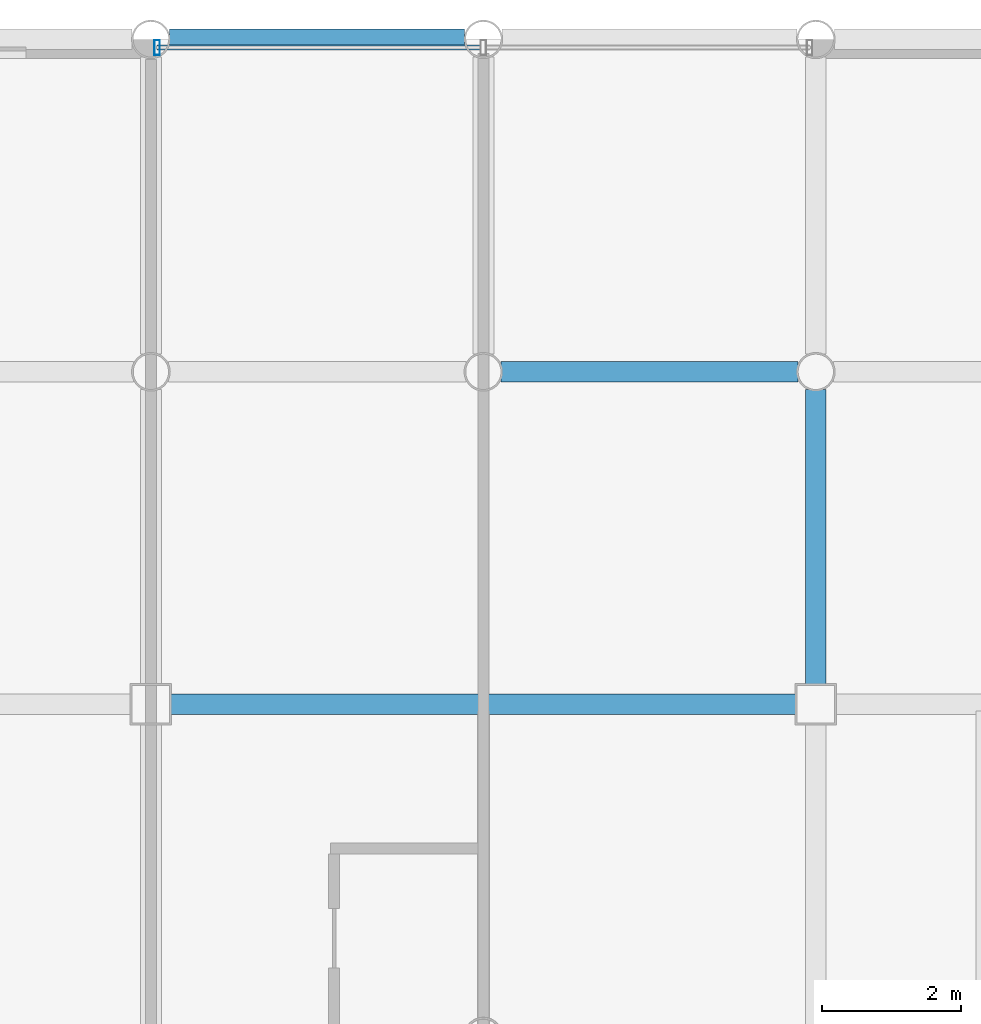
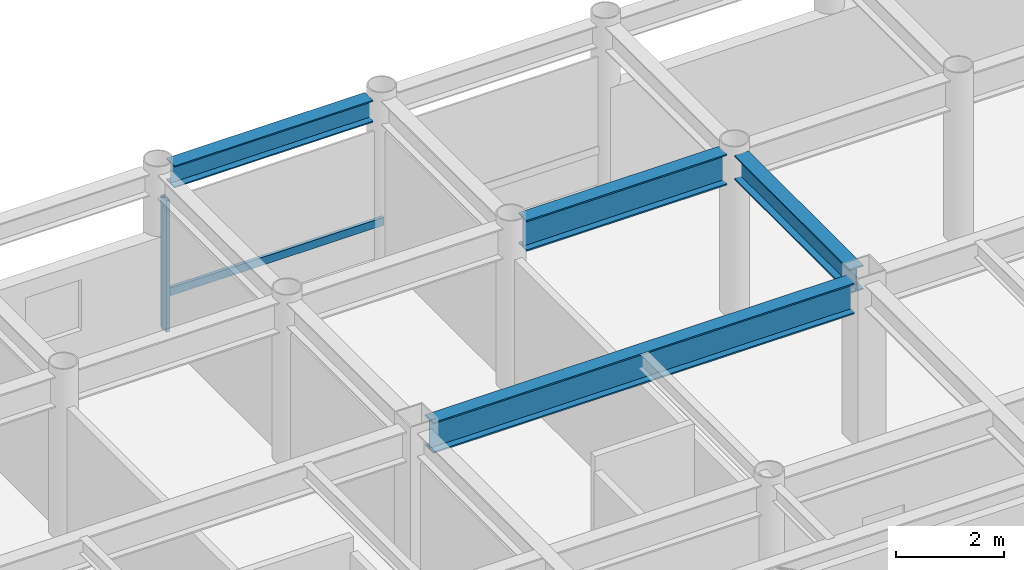
# One storey, part 14 of 22: 4 beams, 2 members, 1 element without a shape of its own.
"""IFC4 building model written with IfcOpenShell, lengths in metres."""

from ifc_helpers import new_model, si_unit, direction, frame, origin, origin_2d, place, context, subcontext, project, spatial, hollow_rectangle, i_section, extrude, material, layer, layer_set, material_profile, profile_set, type_object, element, aggregate, save


model = new_model("IFC4")

# Units and contexts
model_context = context("Model", 3, precision=1e-05, world=origin(), true_north=direction((0.0, 1.0)))
body_context = subcontext(model_context, "Body", "Model", "MODEL_VIEW")
ifc_project = project(units=[si_unit("LENGTHUNIT", "METRE"), si_unit("AREAUNIT", "SQUARE_METRE"), si_unit("VOLUMEUNIT", "CUBIC_METRE"), si_unit("PLANEANGLEUNIT", "RADIAN"), si_unit("MASSUNIT", "GRAM", prefix="KILO")], contexts=[model_context])

# Site, building, storey
site_placement = place(None, origin())
site = spatial("IfcSite", under=ifc_project, at=site_placement, CompositionType="ELEMENT")
building_placement = place(site_placement, origin())
building = spatial("IfcBuilding", under=site, at=building_placement, Name="Kallvorn Hotel Tower", CompositionType="ELEMENT")
storey_placement = place(building_placement, frame((0.0, 0.0, 253.10009765625)))
storey = spatial("IfcBuildingStorey", under=building, at=storey_placement, Name="L63", CompositionType="ELEMENT", Elevation=253.10009765625)

# Beams
ifc_material_1 = material(Name="Structural steel S355JR", Category="steel")
ifc_material_profile_1 = material_profile(ifc_material_1, i_section(OverallWidth=0.300048828125, OverallDepth=0.5, WebThickness=0.014404296875, FlangeThickness=0.028076171875, at=origin_2d()), Name="HE 500 B")
ifc_profile_set_1 = profile_set([ifc_material_profile_1], Name="Structural steel S355JR")
beam_type_1 = type_object("IfcBeamType", Name="BM_HE500B", PredefinedType="SPANDREL", material=ifc_profile_set_1)
beam_1_placement = place(storey_placement, frame((-4.530517578125, 24.0, 3.419921875), z_axis=(1.0, 0.0, 0.0), x_axis=(0.0, 1.0, 0.0)))
element("IfcBeam", 1, at=beam_1_placement, inside=storey, type_object=beam_type_1, Name="L64 Perimeter Spandrel 168", PredefinedType="SPANDREL", context=body_context, shape_type="SweptSolid", body=[
    extrude(i_section(OverallWidth=0.300048828125, OverallDepth=0.5, WebThickness=0.014404296875, FlangeThickness=0.028076171875, at=origin_2d()), origin(), (0.0, 0.0, 1.0), 4.260986328125),
])
ifc_material_2 = material(Name="Structural steel S355JR", Category="steel")
ifc_material_profile_2 = material_profile(ifc_material_2, i_section(OverallWidth=0.300048828125, OverallDepth=0.550048828125, WebThickness=0.014892578125, FlangeThickness=0.029052734375, at=origin_2d()), Name="HE 550 B")
ifc_profile_set_2 = profile_set([ifc_material_profile_2], Name="Structural steel S355JR")
beam_type_2 = type_object("IfcBeamType", Name="BM_HE550B", PredefinedType="SPANDREL", material=ifc_profile_set_2)
beam_2_placement = place(storey_placement, frame((4.800048828125, 14.675048828125, 3.39501953125), z_axis=(0.0, 1.0, 0.0), x_axis=(-1.0, 0.0, 0.0)))
element("IfcBeam", 2, at=beam_2_placement, inside=storey, type_object=beam_type_2, Name="L64 Primary Y-Girder 117", PredefinedType="SPANDREL", context=body_context, shape_type="SweptSolid", body=[
    extrude(i_section(OverallWidth=0.300048828125, OverallDepth=0.550048828125, WebThickness=0.014892578125, FlangeThickness=0.029052734375, at=origin_2d()), origin(), (0.0, 0.0, 1.0), 4.2705078125),
])
ifc_material_3 = material(Name="Structural steel S355JR", Category="steel")
ifc_material_profile_3 = material_profile(ifc_material_3, i_section(OverallWidth=0.300048828125, OverallDepth=0.699951171875, WebThickness=0.01708984375, FlangeThickness=0.031982421875, at=origin_2d()), Name="HE 700 B")
ifc_profile_set_3 = profile_set([ifc_material_profile_3], Name="Structural steel S355JR")
beam_type_3 = type_object("IfcBeamType", Name="BM_HE700B", PredefinedType="BEAM", material=ifc_profile_set_3)
beam_3_placement = place(storey_placement, frame((-4.52490234375, 14.39990234375, 3.31982421875), z_axis=(1.0, 0.0, 0.0), x_axis=(0.0, 1.0, 0.0)))
element("IfcBeam", 3, at=beam_3_placement, inside=storey, type_object=beam_type_3, Name="L64 Primary X-Girder 55", PredefinedType="BEAM", context=body_context, shape_type="SweptSolid", body=[
    extrude(i_section(OverallWidth=0.300048828125, OverallDepth=0.699951171875, WebThickness=0.01708984375, FlangeThickness=0.031982421875, at=origin_2d()), origin(), (0.0, 0.0, 1.0), 9.0498046875),
])
beam_4_placement = place(storey_placement, frame((0.25439453125, 19.199951171875, 3.31982421875), z_axis=(1.0, 0.0, 0.0), x_axis=(0.0, 1.0, 0.0)))
element("IfcBeam", 4, at=beam_4_placement, inside=storey, type_object=beam_type_3, Name="L64 Primary X-Girder 67", PredefinedType="BEAM", context=body_context, shape_type="SweptSolid", body=[
    extrude(i_section(OverallWidth=0.300048828125, OverallDepth=0.699951171875, WebThickness=0.01708984375, FlangeThickness=0.031982421875, at=origin_2d()), origin(), (0.0, 0.0, 1.0), 4.291015625),
])

# Curtain wall, members
ifc_material_4 = material(Name="Thermally broken black-anodised aluminium AA 6063-T6", Category="aluminium")
ifc_layer = layer(ifc_material_4, 0.22998046875)
ifc_layer_set = layer_set([ifc_layer], Name="CW_SYS_5_HOTEL_HIGH")
curtain_wall_type = type_object("IfcCurtainWallType", Name="CW_SYS_5_HOTEL_HIGH", PredefinedType="USERDEFINED", material=ifc_layer_set)
curtain_wall_placement = place(storey_placement, origin())
curtain_wall = element("IfcCurtainWall", 5, at=curtain_wall_placement, inside=storey, type_object=curtain_wall_type, Name="L63 Dark-Glass Curtain Wall CW-L63-NC", ObjectType="UNITISED CURTAIN WALL", PredefinedType="USERDEFINED")
ifc_material_5 = material(Name="Thermally broken black-anodised aluminium AA 6063-T6", Category="aluminium")
ifc_material_profile_4 = material_profile(ifc_material_5, hollow_rectangle(XDim=0.080078125, YDim=0.219970703125, WallThickness=0.0048828125, at=origin_2d()), Name="MUL 220x80")
ifc_profile_set_4 = profile_set([ifc_material_profile_4], Name="Thermally broken black-anodised aluminium AA 6063-T6")
member_type_1 = type_object("IfcMemberType", Name="CW_MULLION_220x80", PredefinedType="MULLION", material=ifc_profile_set_4)
member_1_placement = place(storey_placement, frame((-4.7099609375, 23.8798828125, 0.02001953125), z_axis=(0.0, 0.0, 1.0), x_axis=(1.0, 0.0, 0.0)))
member_1 = element("IfcMember", 6, at=member_1_placement, type_object=member_type_1, Name="CW-L63-NC Mullion 00", PredefinedType="MULLION", context=body_context, shape_type="SweptSolid", body=[
    extrude(hollow_rectangle(XDim=0.080078125, YDim=0.219970703125, WallThickness=0.0048828125, at=origin_2d()), origin(), (0.0, 0.0, 1.0), 2.97998046875),
])
ifc_material_6 = material(Name="Thermally broken black-anodised aluminium AA 6063-T6", Category="aluminium")
ifc_material_profile_5 = material_profile(ifc_material_6, hollow_rectangle(XDim=0.070068359375, YDim=0.179931640625, WallThickness=0.00390625, at=origin_2d()), Name="TRN 180x70")
ifc_profile_set_5 = profile_set([ifc_material_profile_5], Name="Thermally broken black-anodised aluminium AA 6063-T6")
member_type_2 = type_object("IfcMemberType", Name="CW_TRANSOM_180x70", PredefinedType="USERDEFINED", material=ifc_profile_set_5)
member_2_placement = place(storey_placement, frame((-4.7099609375, 23.8798828125, 0.849853515625), z_axis=(1.0, 0.0, 0.0), x_axis=(0.0, 1.0, 0.0)))
member_2 = element("IfcMember", 7, at=member_2_placement, type_object=member_type_2, Name="CW-L63-NC Transom 00M", ObjectType="TRANSOM", PredefinedType="USERDEFINED", context=body_context, shape_type="SweptSolid", body=[
    extrude(hollow_rectangle(XDim=0.070068359375, YDim=0.179931640625, WallThickness=0.00390625, at=origin_2d()), origin(), (0.0, 0.0, 1.0), 4.669921875),
])
aggregate(curtain_wall, [member_1, member_2])

save(model, "model.ifc")
